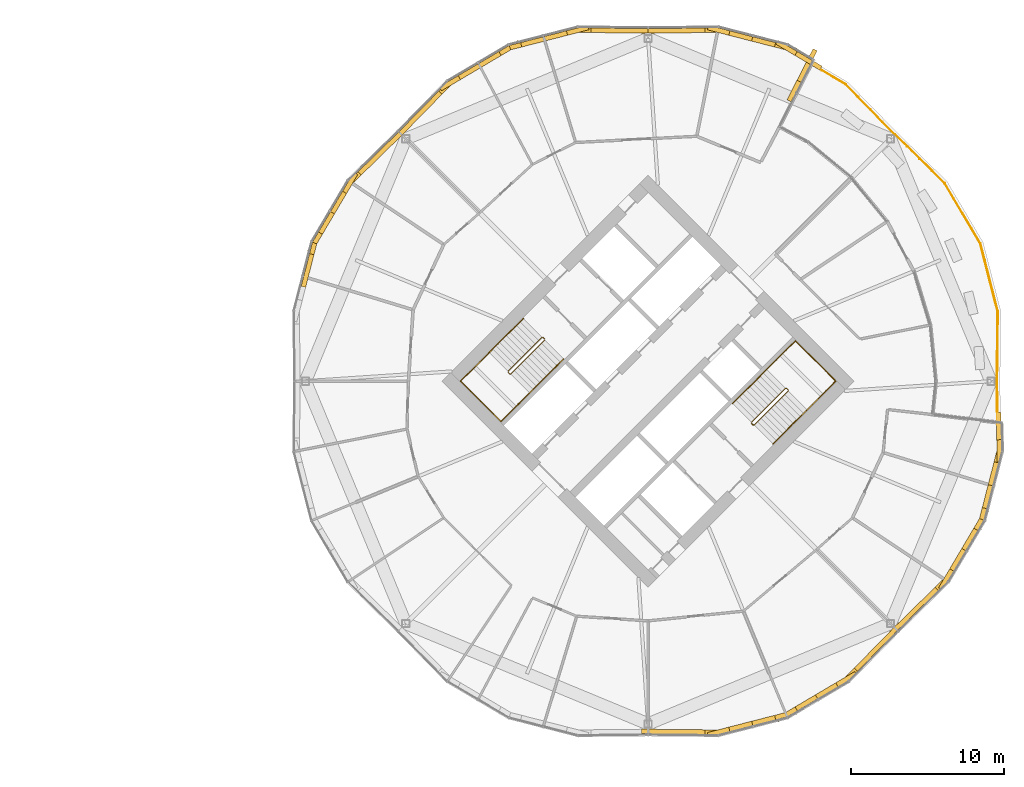
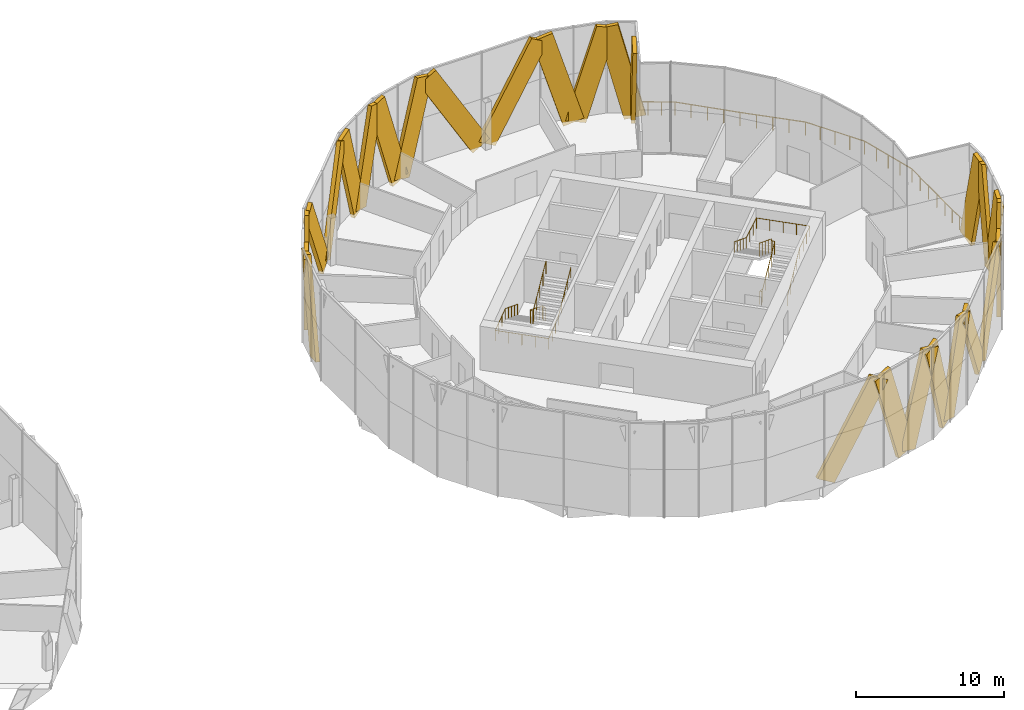
# One storey, part 26 of 27: 27 coverings, 5 railings.
"""IFC4 building model written with IfcOpenShell, lengths in metres."""

from ifc_helpers import new_model, si_unit, direction, frame, origin, origin_2d, place, context, subcontext, project, spatial, rectangle, circle, extrude, material, material_profile, profile_set, type_object, element, save


model = new_model("IFC4")

# Units and contexts
model_context = context("Model", 3, precision=1e-05, world=origin(), true_north=direction((0.0, 1.0)))
body_context = subcontext(model_context, "Body", "Model", "MODEL_VIEW")
ifc_project = project(units=[si_unit("LENGTHUNIT", "METRE"), si_unit("AREAUNIT", "SQUARE_METRE"), si_unit("VOLUMEUNIT", "CUBIC_METRE"), si_unit("PLANEANGLEUNIT", "RADIAN"), si_unit("MASSUNIT", "GRAM", prefix="KILO")], contexts=[model_context])

# Site, building, storey
site_placement = place(None, origin())
site = spatial("IfcSite", under=ifc_project, at=site_placement, CompositionType="ELEMENT")
building_placement = place(site_placement, origin())
building = spatial("IfcBuilding", under=site, at=building_placement, Name="Ogive Gate Towers", CompositionType="ELEMENT")
storey_placement = place(building_placement, frame((0.0, 0.0, 123.0)))
storey = spatial("IfcBuildingStorey", under=building, at=storey_placement, Name="L29", CompositionType="ELEMENT", Elevation=123.0)

# Coverings
ifc_material_1 = material(Name="Pale metal aluminium", Category="aluminium")
ifc_material_profile = material_profile(ifc_material_1, rectangle(XDim=0.300048828125, YDim=1.5, at=origin_2d()), Name="1500 x 300 pale metal aluminium")
ifc_profile_set = profile_set([ifc_material_profile], Name="Pale metal aluminium")
covering_type = type_object("IfcCoveringType", Name="Facade fin 1500 x 300", PredefinedType="CLADDING", material=ifc_profile_set)
covering_1_placement = place(storey_placement, frame((36.225830078125, 22.84228515625, 0.0302734375), z_axis=(0.506919696051, 0.005500573455, 0.861975733676), x_axis=(-0.010850337238, 0.999941133358, 0.0)))
element("IfcCovering", 1, at=covering_1_placement, inside=storey, type_object=covering_type, Name="Facade fin", PredefinedType="CLADDING", context=body_context, shape_type="SweptSolid", body=[
    extrude(rectangle(XDim=0.300048828125, YDim=1.5, at=origin_2d()), origin(), (0.0, 0.0, 1.0), 8.166748046875),
])
for number, where, z_axis, x_axis, name in (
    (2, (42.723876953125, 22.333740234375, -0.1357421875), (-0.276553411172, 0.071066577254, 0.958367232519), (-0.248886128282, -0.968532753782, 0.0), "Facade fin"),
    (3, (42.84765625, 22.302001953125, -0.1357421875), (0.276583347283, -0.071034373562, 0.958360980935), (0.248755067199, 0.968566423402, 0.0), "Facade fin"),
):
    element("IfcCovering", number, at=place(storey_placement, frame(where, z_axis=z_axis, x_axis=x_axis)), inside=storey, type_object=covering_type, Name=name, PredefinedType="CLADDING", context=body_context, shape_type="SweptSolid", body=[
        extrude(rectangle(XDim=0.300048828125, YDim=1.5, at=origin_2d()), origin(), (0.0, 0.0, 1.0), 7.69189453125),
    ])
covering_2_placement = place(storey_placement, frame((46.635986328125, 20.78466796875, -0.16650390625), z_axis=(-0.210543888946, 0.124460069279, 0.969629291009), x_axis=(-0.508874075146, -0.860840970008, 0.0)))
element("IfcCovering", 4, at=covering_2_placement, inside=storey, type_object=covering_type, Name="Facade fin", PredefinedType="CLADDING", context=body_context, shape_type="SweptSolid", body=[
    extrude(rectangle(XDim=0.300048828125, YDim=1.5, at=origin_2d()), origin(), (0.0, 0.0, 1.0), 7.666015625),
])
covering_3_placement = place(storey_placement, frame((46.5634765625, 20.974365234375, -0.12548828125), z_axis=(-0.135853397784, -0.266636456486, 0.954174436035), x_axis=(0.891012826654, -0.453978130243, 0.0)))
element("IfcCovering", 5, at=covering_3_placement, inside=storey, type_object=covering_type, Name="Facade fin", PredefinedType="CLADDING", context=body_context, shape_type="SweptSolid", body=[
    extrude(rectangle(XDim=0.300048828125, YDim=1.5, at=origin_2d()), origin(), (0.0, 0.0, 1.0), 7.7041015625),
])
covering_4_placement = place(storey_placement, frame((20.0078125, 16.311767578125, 0.0302734375), z_axis=(0.354554794525, 0.362297601589, 0.861992659808), x_axis=(-0.714702635848, 0.699428439736, 0.0)))
element("IfcCovering", 6, at=covering_4_placement, inside=storey, type_object=covering_type, Name="Facade fin", PredefinedType="CLADDING", context=body_context, shape_type="SweptSolid", body=[
    extrude(rectangle(XDim=0.300048828125, YDim=1.5, at=origin_2d()), origin(), (0.0, 0.0, 1.0), 8.16650390625),
])
for number, where, z_axis, x_axis, name in (
    (7, (24.962158203125, 20.547119140625, -0.1357421875), (-0.245824826667, -0.145368328746, 0.958351816189), (0.509010107427, -0.860760541926, 0.0), "Facade fin"),
    (8, (25.072021484375, 20.61181640625, -0.1357421875), (0.245824826667, 0.145368328746, 0.958351816189), (-0.509010107427, 0.860760541926, 0.0), "Facade fin"),
    (9, (29.15234375, 22.302001953125, -0.1357421875), (-0.276583347283, -0.071034373562, 0.958360980935), (0.248755067199, -0.968566423402, 0.0), "Facade fin"),
    (10, (29.276123046875, 22.333740234375, -0.1357421875), (0.276553411172, 0.071066577254, 0.958367232519), (-0.248886128282, 0.968532753782, 0.0), "Facade fin"),
):
    element("IfcCovering", number, at=place(storey_placement, frame(where, z_axis=z_axis, x_axis=x_axis)), inside=storey, type_object=covering_type, Name=name, PredefinedType="CLADDING", context=body_context, shape_type="SweptSolid", body=[
        extrude(rectangle(XDim=0.300048828125, YDim=1.5, at=origin_2d()), origin(), (0.0, 0.0, 1.0), 7.69189453125),
    ])
covering_5_placement = place(storey_placement, frame((35.774169921875, 22.84228515625, 0.0302734375), z_axis=(-0.506919696051, 0.005500573455, 0.861975733676), x_axis=(-0.010850337238, -0.999941133358, 0.0)))
element("IfcCovering", 11, at=covering_5_placement, inside=storey, type_object=covering_type, Name="Facade fin", PredefinedType="CLADDING", context=body_context, shape_type="SweptSolid", body=[
    extrude(rectangle(XDim=0.300048828125, YDim=1.5, at=origin_2d()), origin(), (0.0, 0.0, 1.0), 8.166748046875),
])
for number, where, z_axis, x_axis, name in (
    (12, (13.697998046875, 6.84765625, -0.1357421875), (0.071034373562, 0.276583347283, 0.958360980935), (-0.968566423402, 0.248755067199, 0.0), "Facade fin"),
    (13, (15.38818359375, 10.927978515625, -0.1357421875), (-0.145368328746, -0.245824826667, 0.958351816189), (0.860760541926, -0.509010107427, 0.0), "Facade fin"),
    (14, (15.452880859375, 11.037841796875, -0.1357421875), (0.145368328746, 0.245824826667, 0.958351816189), (-0.860760541926, 0.509010107427, 0.0), "Facade fin"),
):
    element("IfcCovering", number, at=place(storey_placement, frame(where, z_axis=z_axis, x_axis=x_axis)), inside=storey, type_object=covering_type, Name=name, PredefinedType="CLADDING", context=body_context, shape_type="SweptSolid", body=[
        extrude(rectangle(XDim=0.300048828125, YDim=1.5, at=origin_2d()), origin(), (0.0, 0.0, 1.0), 7.69189453125),
    ])
for number, where, z_axis, x_axis, name in (
    (15, (19.688232421875, 15.9921875, 0.0302734375), (-0.362297601589, -0.354554794525, 0.861992659808), (0.699428439736, -0.714702635848, 0.0), "Facade fin"),
    (16, (51.9921875, -16.311767578125, 0.0302734375), (-0.354554794525, -0.362297601589, 0.861992659808), (0.714702635848, -0.699428439736, 0.0), "Facade fin"),
):
    element("IfcCovering", number, at=place(storey_placement, frame(where, z_axis=z_axis, x_axis=x_axis)), inside=storey, type_object=covering_type, Name=name, PredefinedType="CLADDING", context=body_context, shape_type="SweptSolid", body=[
        extrude(rectangle(XDim=0.300048828125, YDim=1.5, at=origin_2d()), origin(), (0.0, 0.0, 1.0), 8.16650390625),
    ])
for number, where, z_axis, x_axis, name in (
    (17, (47.037841796875, -20.547119140625, -0.1357421875), (0.245824826667, 0.145368328746, 0.958351816189), (-0.509010107427, 0.860760541926, 0.0), "Facade fin"),
    (18, (46.927978515625, -20.61181640625, -0.1357421875), (-0.245824826667, -0.145368328746, 0.958351816189), (0.509010107427, -0.860760541926, 0.0), "Facade fin"),
    (19, (42.84765625, -22.302001953125, -0.1357421875), (0.276583347283, 0.071034373562, 0.958360980935), (-0.248755067199, 0.968566423402, 0.0), "Facade fin"),
    (20, (42.723876953125, -22.333740234375, -0.1357421875), (-0.276553411172, -0.071066577254, 0.958367232519), (0.248886128282, -0.968532753782, 0.0), "Facade fin"),
):
    element("IfcCovering", number, at=place(storey_placement, frame(where, z_axis=z_axis, x_axis=x_axis)), inside=storey, type_object=covering_type, Name=name, PredefinedType="CLADDING", context=body_context, shape_type="SweptSolid", body=[
        extrude(rectangle(XDim=0.300048828125, YDim=1.5, at=origin_2d()), origin(), (0.0, 0.0, 1.0), 7.69189453125),
    ])
covering_6_placement = place(storey_placement, frame((36.225830078125, -22.84228515625, 0.0302734375), z_axis=(0.506919696051, -0.005500573455, 0.861975733676), x_axis=(0.010850337238, 0.999941133358, 0.0)))
element("IfcCovering", 21, at=covering_6_placement, inside=storey, type_object=covering_type, Name="Facade fin", PredefinedType="CLADDING", context=body_context, shape_type="SweptSolid", body=[
    extrude(rectangle(XDim=0.300048828125, YDim=1.5, at=origin_2d()), origin(), (0.0, 0.0, 1.0), 8.166748046875),
])
for number, where, z_axis, x_axis, name in (
    (22, (58.333740234375, -6.723876953125, -0.1357421875), (0.071066577254, 0.276553411172, 0.958367232519), (-0.968532753782, 0.248886128282, 0.0), "Facade fin"),
    (23, (58.302001953125, -6.84765625, -0.1357421875), (-0.071034373562, -0.276583347283, 0.958360980935), (0.968566423402, -0.248755067199, 0.0), "Facade fin"),
    (24, (56.61181640625, -10.927978515625, -0.1357421875), (0.145368328746, 0.245824826667, 0.958351816189), (-0.860760541926, 0.509010107427, 0.0), "Facade fin"),
    (25, (56.547119140625, -11.037841796875, -0.1357421875), (-0.145368328746, -0.245824826667, 0.958351816189), (0.860760541926, -0.509010107427, 0.0), "Facade fin"),
):
    element("IfcCovering", number, at=place(storey_placement, frame(where, z_axis=z_axis, x_axis=x_axis)), inside=storey, type_object=covering_type, Name=name, PredefinedType="CLADDING", context=body_context, shape_type="SweptSolid", body=[
        extrude(rectangle(XDim=0.300048828125, YDim=1.5, at=origin_2d()), origin(), (0.0, 0.0, 1.0), 7.69189453125),
    ])
covering_7_placement = place(storey_placement, frame((52.311767578125, -15.9921875, 0.0302734375), z_axis=(0.362297601589, 0.354554794525, 0.861992659808), x_axis=(-0.699428439736, 0.714702635848, 0.0)))
element("IfcCovering", 26, at=covering_7_placement, inside=storey, type_object=covering_type, Name="Facade fin", PredefinedType="CLADDING", context=body_context, shape_type="SweptSolid", body=[
    extrude(rectangle(XDim=0.300048828125, YDim=1.5, at=origin_2d()), origin(), (0.0, 0.0, 1.0), 8.16650390625),
])
covering_8_placement = place(storey_placement, frame((58.8701171875, -2.776611328125, -0.176513671875), z_axis=(0.002485773251, -0.231240650092, 0.972893407664), x_axis=(0.99994222672, 0.010749103319, 0.0)))
element("IfcCovering", 27, at=covering_8_placement, inside=storey, type_object=covering_type, Name="Facade fin", PredefinedType="CLADDING", context=body_context, shape_type="SweptSolid", body=[
    extrude(rectangle(XDim=0.300048828125, YDim=1.5, at=origin_2d()), origin(), (0.0, 0.0, 1.0), 7.660888671875),
])

# Railings
ifc_material_2 = material(Name="Stainless steel", Category="steel")
railing_type_1 = type_object("IfcRailingType", Name="Guard 1100", PredefinedType="GUARDRAIL", material=ifc_material_2)
railing_1_placement = place(storey_placement, frame((46.549072265625, 20.731201171875, 0.0)))
element("IfcRailing", 28, at=railing_1_placement, inside=storey, type_object=railing_type_1, Name="Sky garden guard", PredefinedType="GUARDRAIL", context=body_context, shape_type="SweptSolid", body=[
    extrude(circle(Radius=0.02392578125, at=origin_2d()), frame((0.0, 0.0, 1.076171875), z_axis=(0.860798560797, -0.50894581021, 0.0), x_axis=(0.50894581021, 0.860798560797, 0.0)), (0.0, 0.0, 1.0), 2.7353515625),
    extrude(circle(Radius=0.02392578125, at=origin_2d()), frame((2.3544921875, -1.39208984375, 1.076171875), z_axis=(0.699444383368, -0.714687032606, 0.0), x_axis=(0.714687032606, 0.699444383368, 0.0)), (0.0, 0.0, 1.0), 4.548828125),
    extrude(circle(Radius=0.02392578125, at=origin_2d()), frame((5.5361328125, -4.64306640625, 1.076171875), z_axis=(0.714680172295, -0.699451393113, 0.0), x_axis=(0.699451393113, 0.714680172295, 0.0)), (0.0, 0.0, 1.0), 4.552978515625),
    extrude(circle(Radius=0.02392578125, at=origin_2d()), frame((8.7900390625, -7.82763671875, 1.076171875), z_axis=(0.508965274333, -0.860787052367, 0.0), x_axis=(0.860787052367, 0.508965274333, 0.0)), (0.0, 0.0, 1.0), 4.566162109375),
    extrude(circle(Radius=0.02392578125, at=origin_2d()), frame((11.114013671875, -11.758056640625, 1.076171875), z_axis=(0.248795995041, -0.968555911061, 0.0), x_axis=(0.968555911061, 0.248795995041, 0.0)), (0.0, 0.0, 1.0), 4.56591796875),
    extrude(circle(Radius=0.02392578125, at=origin_2d()), frame((12.25, -16.180419921875, 1.076171875), z_axis=(-0.010787843042, -0.999941809528, 0.0), x_axis=(0.999941809528, -0.010787843042, 0.0)), (0.0, 0.0, 1.0), 4.548828125),
    extrude(circle(Radius=0.02392578125, at=origin_2d()), frame((12.200927734375, -20.72900390625, 1.076171875), z_axis=(0.010798506419, -0.99994169443, 0.0), x_axis=(0.99994169443, 0.010798506419, 0.0)), (0.0, 0.0, 1.0), 2.826171875),
    extrude(circle(Radius=0.02099609375, at=origin_2d()), origin(), (0.0, 0.0, 1.0), 1.052001953125),
    extrude(circle(Radius=0.02099609375, at=origin_2d()), frame((0.784912109375, -0.464111328125, 0.0)), (0.0, 0.0, 1.0), 1.052001953125),
    extrude(circle(Radius=0.02099609375, at=origin_2d()), frame((1.569580078125, -0.927978515625, 0.0)), (0.0, 0.0, 1.0), 1.052001953125),
    extrude(circle(Radius=0.02099609375, at=origin_2d()), frame((2.3544921875, -1.39208984375, 0.0)), (0.0, 0.0, 1.0), 1.052001953125),
    extrude(circle(Radius=0.02099609375, at=origin_2d()), frame((3.14990234375, -2.204833984375, 0.0)), (0.0, 0.0, 1.0), 1.052001953125),
    extrude(circle(Radius=0.02099609375, at=origin_2d()), frame((3.9453125, -3.017578125, 0.0)), (0.0, 0.0, 1.0), 1.052001953125),
    extrude(circle(Radius=0.02099609375, at=origin_2d()), frame((4.74072265625, -3.830322265625, 0.0)), (0.0, 0.0, 1.0), 1.052001953125),
    extrude(circle(Radius=0.02099609375, at=origin_2d()), frame((5.5361328125, -4.64306640625, 0.0)), (0.0, 0.0, 1.0), 1.052001953125),
    extrude(circle(Radius=0.02099609375, at=origin_2d()), frame((6.349609375, -5.439208984375, 0.0)), (0.0, 0.0, 1.0), 1.052001953125),
    extrude(circle(Radius=0.02099609375, at=origin_2d()), frame((7.1630859375, -6.2353515625, 0.0)), (0.0, 0.0, 1.0), 1.052001953125),
    extrude(circle(Radius=0.02099609375, at=origin_2d()), frame((7.9765625, -7.031494140625, 0.0)), (0.0, 0.0, 1.0), 1.052001953125),
    extrude(circle(Radius=0.02099609375, at=origin_2d()), frame((8.7900390625, -7.82763671875, 0.0)), (0.0, 0.0, 1.0), 1.052001953125),
    extrude(circle(Radius=0.02099609375, at=origin_2d()), frame((9.37109375, -8.810302734375, 0.0)), (0.0, 0.0, 1.0), 1.052001953125),
    extrude(circle(Radius=0.02099609375, at=origin_2d()), frame((9.9521484375, -9.79296875, 0.0)), (0.0, 0.0, 1.0), 1.052001953125),
    extrude(circle(Radius=0.02099609375, at=origin_2d()), frame((10.532958984375, -10.775390625, 0.0)), (0.0, 0.0, 1.0), 1.052001953125),
    extrude(circle(Radius=0.02099609375, at=origin_2d()), frame((11.114013671875, -11.758056640625, 0.0)), (0.0, 0.0, 1.0), 1.052001953125),
    extrude(circle(Radius=0.02099609375, at=origin_2d()), frame((11.39794921875, -12.86376953125, 0.0)), (0.0, 0.0, 1.0), 1.052001953125),
    extrude(circle(Radius=0.02099609375, at=origin_2d()), frame((11.68212890625, -13.96923828125, 0.0)), (0.0, 0.0, 1.0), 1.052001953125),
    extrude(circle(Radius=0.02099609375, at=origin_2d()), frame((11.966064453125, -15.07470703125, 0.0)), (0.0, 0.0, 1.0), 1.052001953125),
    extrude(circle(Radius=0.02099609375, at=origin_2d()), frame((12.25, -16.180419921875, 0.0)), (0.0, 0.0, 1.0), 1.052001953125),
    extrude(circle(Radius=0.02099609375, at=origin_2d()), frame((12.23779296875, -17.317626953125, 0.0)), (0.0, 0.0, 1.0), 1.052001953125),
    extrude(circle(Radius=0.02099609375, at=origin_2d()), frame((12.2255859375, -18.45458984375, 0.0)), (0.0, 0.0, 1.0), 1.052001953125),
    extrude(circle(Radius=0.02099609375, at=origin_2d()), frame((12.213134765625, -19.591796875, 0.0)), (0.0, 0.0, 1.0), 1.052001953125),
    extrude(circle(Radius=0.02099609375, at=origin_2d()), frame((12.200927734375, -20.72900390625, 0.0)), (0.0, 0.0, 1.0), 1.052001953125),
    extrude(circle(Radius=0.02099609375, at=origin_2d()), frame((12.211181640625, -21.6708984375, 0.0)), (0.0, 0.0, 1.0), 1.052001953125),
    extrude(circle(Radius=0.02099609375, at=origin_2d()), frame((12.22119140625, -22.613037109375, 0.0)), (0.0, 0.0, 1.0), 1.052001953125),
    extrude(circle(Radius=0.02099609375, at=origin_2d()), frame((12.2314453125, -23.554931640625, 0.0)), (0.0, 0.0, 1.0), 1.052001953125),
])
railing_type_2 = type_object("IfcRailingType", Name="Stair guard 1100", PredefinedType="GUARDRAIL", material=ifc_material_2)
railing_2_placement = place(storey_placement, frame((29.15869140625, 2.8603515625, 0.0)))
element("IfcRailing", 29, at=railing_2_placement, inside=storey, type_object=railing_type_2, Name="L29 ST1 stair guard 1", PredefinedType="GUARDRAIL", context=body_context, shape_type="SweptSolid", body=[
    extrude(circle(Radius=0.02392578125, at=origin_2d()), frame((0.0, 0.0, 1.076171875), z_axis=(0.707106781187, -0.707106781187, 0.0), x_axis=(0.707106781187, 0.707106781187, 0.0)), (0.0, 0.0, 1.0), 0.14501953125),
    extrude(circle(Radius=0.02392578125, at=origin_2d()), frame((0.1025390625, -0.1025390625, 1.076171875), z_axis=(-0.645571447971, 0.382425963537, 0.661050594114), x_axis=(-0.509669330572, -0.860370369942, 0.0)), (0.0, 0.0, 1.0), 0.26806640625),
    extrude(circle(Radius=0.02392578125, at=origin_2d()), frame((-0.070556640625, 0.0, 1.25341796875), z_axis=(-0.61558473135, -0.61558473135, 0.49204763698), x_axis=(0.707106781187, -0.707106781187, 0.0)), (0.0, 0.0, 1.0), 3.602783203125),
    extrude(circle(Radius=0.02392578125, at=origin_2d()), frame((-2.288330078125, -2.2177734375, 3.02587890625), z_axis=(0.0, -1.0, 0.0), x_axis=(1.0, 0.0, 0.0)), (0.0, 0.0, 1.0), 0.07080078125),
    extrude(circle(Radius=0.02392578125, at=origin_2d()), frame((-2.288330078125, -2.28857421875, 3.02587890625), z_axis=(0.707106781187, -0.707106781187, 0.0), x_axis=(0.707106781187, 0.707106781187, 0.0)), (0.0, 0.0, 1.0), 0.14501953125),
    extrude(circle(Radius=0.02392578125, at=origin_2d()), frame((-2.185791015625, -2.39111328125, 3.02587890625), z_axis=(0.369845645421, 0.0, 0.929093213065), x_axis=(0.0, 1.0, 0.0)), (0.0, 0.0, 1.0), 0.190673828125),
    extrude(circle(Radius=0.02392578125, at=origin_2d()), frame((-2.115234375, -2.39111328125, 3.203125), z_axis=(0.61558473135, 0.61558473135, 0.49204763698), x_axis=(-0.707106781187, 0.707106781187, 0.0)), (0.0, 0.0, 1.0), 3.602783203125),
    extrude(circle(Radius=0.02099609375, at=origin_2d()), origin(), (0.0, 0.0, 1.0), 1.052001953125),
    extrude(circle(Radius=0.02099609375, at=origin_2d()), frame((0.1025390625, -0.1025390625, 0.0)), (0.0, 0.0, 1.0), 1.052001953125),
    extrude(circle(Radius=0.02099609375, at=origin_2d()), frame((-0.070556640625, 0.0, 0.17724609375)), (0.0, 0.0, 1.0), 1.052001953125),
    extrude(circle(Radius=0.02099609375, at=origin_2d()), frame((-0.625, -0.554443359375, 0.620361328125)), (0.0, 0.0, 1.0), 1.052001953125),
    extrude(circle(Radius=0.02099609375, at=origin_2d()), frame((-1.179443359375, -1.10888671875, 1.0634765625)), (0.0, 0.0, 1.0), 1.052001953125),
    extrude(circle(Radius=0.02099609375, at=origin_2d()), frame((-1.73388671875, -1.663330078125, 1.5068359375)), (0.0, 0.0, 1.0), 1.052001953125),
    extrude(circle(Radius=0.02099609375, at=origin_2d()), frame((-2.288330078125, -2.2177734375, 1.949951171875)), (0.0, 0.0, 1.0), 1.052001953125),
    extrude(circle(Radius=0.02099609375, at=origin_2d()), frame((-2.288330078125, -2.28857421875, 1.949951171875)), (0.0, 0.0, 1.0), 1.052001953125),
    extrude(circle(Radius=0.02099609375, at=origin_2d()), frame((-2.185791015625, -2.39111328125, 1.949951171875)), (0.0, 0.0, 1.0), 1.052001953125),
    extrude(circle(Radius=0.02099609375, at=origin_2d()), frame((-2.115234375, -2.39111328125, 2.127197265625)), (0.0, 0.0, 1.0), 1.052001953125),
    extrude(circle(Radius=0.02099609375, at=origin_2d()), frame((-1.560791015625, -1.836669921875, 2.5703125)), (0.0, 0.0, 1.0), 1.052001953125),
    extrude(circle(Radius=0.02099609375, at=origin_2d()), frame((-1.00634765625, -1.2822265625, 3.013671875)), (0.0, 0.0, 1.0), 1.052001953125),
    extrude(circle(Radius=0.02099609375, at=origin_2d()), frame((-0.451904296875, -0.727783203125, 3.456787109375)), (0.0, 0.0, 1.0), 1.052001953125),
    extrude(circle(Radius=0.02099609375, at=origin_2d()), frame((0.1025390625, -0.17333984375, 3.89990234375)), (0.0, 0.0, 1.0), 1.052001953125),
])
railing_3_placement = place(storey_placement, frame((42.84130859375, -2.8603515625, 0.0)))
element("IfcRailing", 30, at=railing_3_placement, inside=storey, type_object=railing_type_2, Name="L29 ST2 stair guard 1", PredefinedType="GUARDRAIL", context=body_context, shape_type="SweptSolid", body=[
    extrude(circle(Radius=0.02392578125, at=origin_2d()), frame((0.0, 0.0, 1.076171875), z_axis=(-0.707106781187, 0.707106781187, 0.0), x_axis=(-0.707106781187, -0.707106781187, 0.0)), (0.0, 0.0, 1.0), 0.14501953125),
    extrude(circle(Radius=0.02392578125, at=origin_2d()), frame((-0.1025390625, 0.1025390625, 1.076171875), z_axis=(0.645571447971, -0.382425963537, 0.661050594114), x_axis=(0.509669330572, 0.860370369942, 0.0)), (0.0, 0.0, 1.0), 0.26806640625),
    extrude(circle(Radius=0.02392578125, at=origin_2d()), frame((0.070556640625, 0.0, 1.25341796875), z_axis=(0.61558473135, 0.61558473135, 0.49204763698), x_axis=(-0.707106781187, 0.707106781187, 0.0)), (0.0, 0.0, 1.0), 3.602783203125),
    extrude(circle(Radius=0.02392578125, at=origin_2d()), frame((2.288330078125, 2.2177734375, 3.02587890625), z_axis=(0.0, 1.0, 0.0), x_axis=(-1.0, 0.0, 0.0)), (0.0, 0.0, 1.0), 0.07080078125),
    extrude(circle(Radius=0.02392578125, at=origin_2d()), frame((2.288330078125, 2.28857421875, 3.02587890625), z_axis=(-0.707106781187, 0.707106781187, 0.0), x_axis=(-0.707106781187, -0.707106781187, 0.0)), (0.0, 0.0, 1.0), 0.14501953125),
    extrude(circle(Radius=0.02392578125, at=origin_2d()), frame((2.185791015625, 2.39111328125, 3.02587890625), z_axis=(-0.369845645421, 0.0, 0.929093213065), x_axis=(0.0, -1.0, 0.0)), (0.0, 0.0, 1.0), 0.190673828125),
    extrude(circle(Radius=0.02392578125, at=origin_2d()), frame((2.115234375, 2.39111328125, 3.203125), z_axis=(-0.61558473135, -0.61558473135, 0.49204763698), x_axis=(0.707106781187, -0.707106781187, 0.0)), (0.0, 0.0, 1.0), 3.602783203125),
    extrude(circle(Radius=0.02099609375, at=origin_2d()), origin(), (0.0, 0.0, 1.0), 1.052001953125),
    extrude(circle(Radius=0.02099609375, at=origin_2d()), frame((-0.1025390625, 0.1025390625, 0.0)), (0.0, 0.0, 1.0), 1.052001953125),
    extrude(circle(Radius=0.02099609375, at=origin_2d()), frame((0.070556640625, 0.0, 0.17724609375)), (0.0, 0.0, 1.0), 1.052001953125),
    extrude(circle(Radius=0.02099609375, at=origin_2d()), frame((0.625, 0.554443359375, 0.620361328125)), (0.0, 0.0, 1.0), 1.052001953125),
    extrude(circle(Radius=0.02099609375, at=origin_2d()), frame((1.179443359375, 1.10888671875, 1.0634765625)), (0.0, 0.0, 1.0), 1.052001953125),
    extrude(circle(Radius=0.02099609375, at=origin_2d()), frame((1.73388671875, 1.663330078125, 1.5068359375)), (0.0, 0.0, 1.0), 1.052001953125),
    extrude(circle(Radius=0.02099609375, at=origin_2d()), frame((2.288330078125, 2.2177734375, 1.949951171875)), (0.0, 0.0, 1.0), 1.052001953125),
    extrude(circle(Radius=0.02099609375, at=origin_2d()), frame((2.288330078125, 2.28857421875, 1.949951171875)), (0.0, 0.0, 1.0), 1.052001953125),
    extrude(circle(Radius=0.02099609375, at=origin_2d()), frame((2.185791015625, 2.39111328125, 1.949951171875)), (0.0, 0.0, 1.0), 1.052001953125),
    extrude(circle(Radius=0.02099609375, at=origin_2d()), frame((2.115234375, 2.39111328125, 2.127197265625)), (0.0, 0.0, 1.0), 1.052001953125),
    extrude(circle(Radius=0.02099609375, at=origin_2d()), frame((1.560791015625, 1.836669921875, 2.5703125)), (0.0, 0.0, 1.0), 1.052001953125),
    extrude(circle(Radius=0.02099609375, at=origin_2d()), frame((1.00634765625, 1.2822265625, 3.013671875)), (0.0, 0.0, 1.0), 1.052001953125),
    extrude(circle(Radius=0.02099609375, at=origin_2d()), frame((0.451904296875, 0.727783203125, 3.456787109375)), (0.0, 0.0, 1.0), 1.052001953125),
    extrude(circle(Radius=0.02099609375, at=origin_2d()), frame((-0.1025390625, 0.17333984375, 3.89990234375)), (0.0, 0.0, 1.0), 1.052001953125),
])
railing_type_3 = type_object("IfcRailingType", Name="Stair handrail 900", PredefinedType="HANDRAIL", material=ifc_material_2)
railing_4_placement = place(storey_placement, frame((27.857666015625, 4.090576171875, 0.17724609375)))
element("IfcRailing", 31, at=railing_4_placement, inside=storey, type_object=railing_type_3, Name="L29 ST1 stair handrail 1", PredefinedType="HANDRAIL", context=body_context, shape_type="SweptSolid", body=[
    extrude(circle(Radius=0.02392578125, at=origin_2d()), frame((0.0, 0.0, 0.8759765625), z_axis=(-0.61558473135, -0.61558473135, 0.49204763698), x_axis=(0.707106781187, -0.707106781187, 0.0)), (0.0, 0.0, 1.0), 3.602783203125),
    extrude(circle(Radius=0.02392578125, at=origin_2d()), frame((-2.2177734375, -2.2177734375, 2.6484375), z_axis=(-0.707106781187, -0.707106781187, 0.0), x_axis=(0.707106781187, -0.707106781187, 0.0)), (0.0, 0.0, 1.0), 2.6484375),
    extrude(circle(Radius=0.02392578125, at=origin_2d()), frame((-4.090576171875, -4.090576171875, 2.6484375), z_axis=(0.707106781187, -0.707106781187, 0.0), x_axis=(0.707106781187, 0.707106781187, 0.0)), (0.0, 0.0, 1.0), 3.72509765625),
    extrude(circle(Radius=0.02392578125, at=origin_2d()), frame((-1.45654296875, -6.724609375, 2.6484375), z_axis=(0.705482886452, 0.705574853978, 0.066768423356), x_axis=(-0.70715286629, 0.70706069308, 0.0)), (0.0, 0.0, 1.0), 2.654541015625),
    extrude(circle(Radius=0.02392578125, at=origin_2d()), frame((0.416259765625, -4.8515625, 2.82568359375), z_axis=(0.615610411033, 0.615542642384, 0.4920681632), x_axis=(-0.70706785752, 0.70714570271, 0.0)), (0.0, 0.0, 1.0), 3.6025390625),
    extrude(circle(Radius=0.02099609375, at=origin_2d()), origin(), (0.0, 0.0, 1.0), 0.851806640625),
    extrude(circle(Radius=0.02099609375, at=origin_2d()), frame((-0.554443359375, -0.554443359375, 0.443115234375)), (0.0, 0.0, 1.0), 0.851806640625),
    extrude(circle(Radius=0.02099609375, at=origin_2d()), frame((-1.10888671875, -1.10888671875, 0.88623046875)), (0.0, 0.0, 1.0), 0.851806640625),
    extrude(circle(Radius=0.02099609375, at=origin_2d()), frame((-1.663330078125, -1.663330078125, 1.32958984375)), (0.0, 0.0, 1.0), 0.851806640625),
    extrude(circle(Radius=0.02099609375, at=origin_2d()), frame((-2.2177734375, -2.2177734375, 1.772705078125)), (0.0, 0.0, 1.0), 0.851806640625),
    extrude(circle(Radius=0.02099609375, at=origin_2d()), frame((-2.842041015625, -2.842041015625, 1.772705078125)), (0.0, 0.0, 1.0), 0.851806640625),
    extrude(circle(Radius=0.02099609375, at=origin_2d()), frame((-3.46630859375, -3.46630859375, 1.772705078125)), (0.0, 0.0, 1.0), 0.851806640625),
    extrude(circle(Radius=0.02099609375, at=origin_2d()), frame((-4.090576171875, -4.090576171875, 1.772705078125)), (0.0, 0.0, 1.0), 0.851806640625),
    extrude(circle(Radius=0.02099609375, at=origin_2d()), frame((-3.43212890625, -4.7490234375, 1.772705078125)), (0.0, 0.0, 1.0), 0.851806640625),
    extrude(circle(Radius=0.02099609375, at=origin_2d()), frame((-2.7734375, -5.40771484375, 1.772705078125)), (0.0, 0.0, 1.0), 0.851806640625),
    extrude(circle(Radius=0.02099609375, at=origin_2d()), frame((-2.114990234375, -6.066162109375, 1.772705078125)), (0.0, 0.0, 1.0), 0.851806640625),
    extrude(circle(Radius=0.02099609375, at=origin_2d()), frame((-1.45654296875, -6.724609375, 1.772705078125)), (0.0, 0.0, 1.0), 0.851806640625),
    extrude(circle(Radius=0.02099609375, at=origin_2d()), frame((-0.832275390625, -6.100341796875, 1.831787109375)), (0.0, 0.0, 1.0), 0.851806640625),
    extrude(circle(Radius=0.02099609375, at=origin_2d()), frame((-0.2080078125, -5.475830078125, 1.890869140625)), (0.0, 0.0, 1.0), 0.851806640625),
    extrude(circle(Radius=0.02099609375, at=origin_2d()), frame((0.416259765625, -4.8515625, 1.949951171875)), (0.0, 0.0, 1.0), 0.851806640625),
    extrude(circle(Radius=0.02099609375, at=origin_2d()), frame((0.970703125, -4.297119140625, 2.39306640625)), (0.0, 0.0, 1.0), 0.851806640625),
    extrude(circle(Radius=0.02099609375, at=origin_2d()), frame((1.525146484375, -3.74267578125, 2.83642578125)), (0.0, 0.0, 1.0), 0.851806640625),
    extrude(circle(Radius=0.02099609375, at=origin_2d()), frame((2.07958984375, -3.1884765625, 3.279541015625)), (0.0, 0.0, 1.0), 0.851806640625),
    extrude(circle(Radius=0.02099609375, at=origin_2d()), frame((2.634033203125, -2.634033203125, 3.72265625)), (0.0, 0.0, 1.0), 0.851806640625),
])
railing_5_placement = place(storey_placement, frame((44.142333984375, -4.090576171875, 0.17724609375)))
element("IfcRailing", 32, at=railing_5_placement, inside=storey, type_object=railing_type_3, Name="L29 ST2 stair handrail 1", PredefinedType="HANDRAIL", context=body_context, shape_type="SweptSolid", body=[
    extrude(circle(Radius=0.02392578125, at=origin_2d()), frame((0.0, 0.0, 0.8759765625), z_axis=(0.61558473135, 0.61558473135, 0.49204763698), x_axis=(-0.707106781187, 0.707106781187, 0.0)), (0.0, 0.0, 1.0), 3.602783203125),
    extrude(circle(Radius=0.02392578125, at=origin_2d()), frame((2.2177734375, 2.2177734375, 2.6484375), z_axis=(0.707106781187, 0.707106781187, 0.0), x_axis=(-0.707106781187, 0.707106781187, 0.0)), (0.0, 0.0, 1.0), 2.6484375),
    extrude(circle(Radius=0.02392578125, at=origin_2d()), frame((4.090576171875, 4.090576171875, 2.6484375), z_axis=(-0.707106781187, 0.707106781187, 0.0), x_axis=(-0.707106781187, -0.707106781187, 0.0)), (0.0, 0.0, 1.0), 3.72509765625),
    extrude(circle(Radius=0.02392578125, at=origin_2d()), frame((1.45654296875, 6.724609375, 2.6484375), z_axis=(-0.705482886452, -0.705574853978, 0.066768423356), x_axis=(0.70715286629, -0.70706069308, 0.0)), (0.0, 0.0, 1.0), 2.654541015625),
    extrude(circle(Radius=0.02392578125, at=origin_2d()), frame((-0.416259765625, 4.8515625, 2.82568359375), z_axis=(-0.615610411033, -0.615542642384, 0.4920681632), x_axis=(0.70706785752, -0.70714570271, 0.0)), (0.0, 0.0, 1.0), 3.6025390625),
    extrude(circle(Radius=0.02099609375, at=origin_2d()), origin(), (0.0, 0.0, 1.0), 0.851806640625),
    extrude(circle(Radius=0.02099609375, at=origin_2d()), frame((0.554443359375, 0.554443359375, 0.443115234375)), (0.0, 0.0, 1.0), 0.851806640625),
    extrude(circle(Radius=0.02099609375, at=origin_2d()), frame((1.10888671875, 1.10888671875, 0.88623046875)), (0.0, 0.0, 1.0), 0.851806640625),
    extrude(circle(Radius=0.02099609375, at=origin_2d()), frame((1.663330078125, 1.663330078125, 1.32958984375)), (0.0, 0.0, 1.0), 0.851806640625),
    extrude(circle(Radius=0.02099609375, at=origin_2d()), frame((2.2177734375, 2.2177734375, 1.772705078125)), (0.0, 0.0, 1.0), 0.851806640625),
    extrude(circle(Radius=0.02099609375, at=origin_2d()), frame((2.842041015625, 2.842041015625, 1.772705078125)), (0.0, 0.0, 1.0), 0.851806640625),
    extrude(circle(Radius=0.02099609375, at=origin_2d()), frame((3.46630859375, 3.46630859375, 1.772705078125)), (0.0, 0.0, 1.0), 0.851806640625),
    extrude(circle(Radius=0.02099609375, at=origin_2d()), frame((4.090576171875, 4.090576171875, 1.772705078125)), (0.0, 0.0, 1.0), 0.851806640625),
    extrude(circle(Radius=0.02099609375, at=origin_2d()), frame((3.43212890625, 4.7490234375, 1.772705078125)), (0.0, 0.0, 1.0), 0.851806640625),
    extrude(circle(Radius=0.02099609375, at=origin_2d()), frame((2.7734375, 5.40771484375, 1.772705078125)), (0.0, 0.0, 1.0), 0.851806640625),
    extrude(circle(Radius=0.02099609375, at=origin_2d()), frame((2.114990234375, 6.066162109375, 1.772705078125)), (0.0, 0.0, 1.0), 0.851806640625),
    extrude(circle(Radius=0.02099609375, at=origin_2d()), frame((1.45654296875, 6.724609375, 1.772705078125)), (0.0, 0.0, 1.0), 0.851806640625),
    extrude(circle(Radius=0.02099609375, at=origin_2d()), frame((0.832275390625, 6.100341796875, 1.831787109375)), (0.0, 0.0, 1.0), 0.851806640625),
    extrude(circle(Radius=0.02099609375, at=origin_2d()), frame((0.2080078125, 5.475830078125, 1.890869140625)), (0.0, 0.0, 1.0), 0.851806640625),
    extrude(circle(Radius=0.02099609375, at=origin_2d()), frame((-0.416259765625, 4.8515625, 1.949951171875)), (0.0, 0.0, 1.0), 0.851806640625),
    extrude(circle(Radius=0.02099609375, at=origin_2d()), frame((-0.970703125, 4.297119140625, 2.39306640625)), (0.0, 0.0, 1.0), 0.851806640625),
    extrude(circle(Radius=0.02099609375, at=origin_2d()), frame((-1.525146484375, 3.74267578125, 2.83642578125)), (0.0, 0.0, 1.0), 0.851806640625),
    extrude(circle(Radius=0.02099609375, at=origin_2d()), frame((-2.07958984375, 3.1884765625, 3.279541015625)), (0.0, 0.0, 1.0), 0.851806640625),
    extrude(circle(Radius=0.02099609375, at=origin_2d()), frame((-2.634033203125, 2.634033203125, 3.72265625)), (0.0, 0.0, 1.0), 0.851806640625),
])

save(model, "model.ifc")
